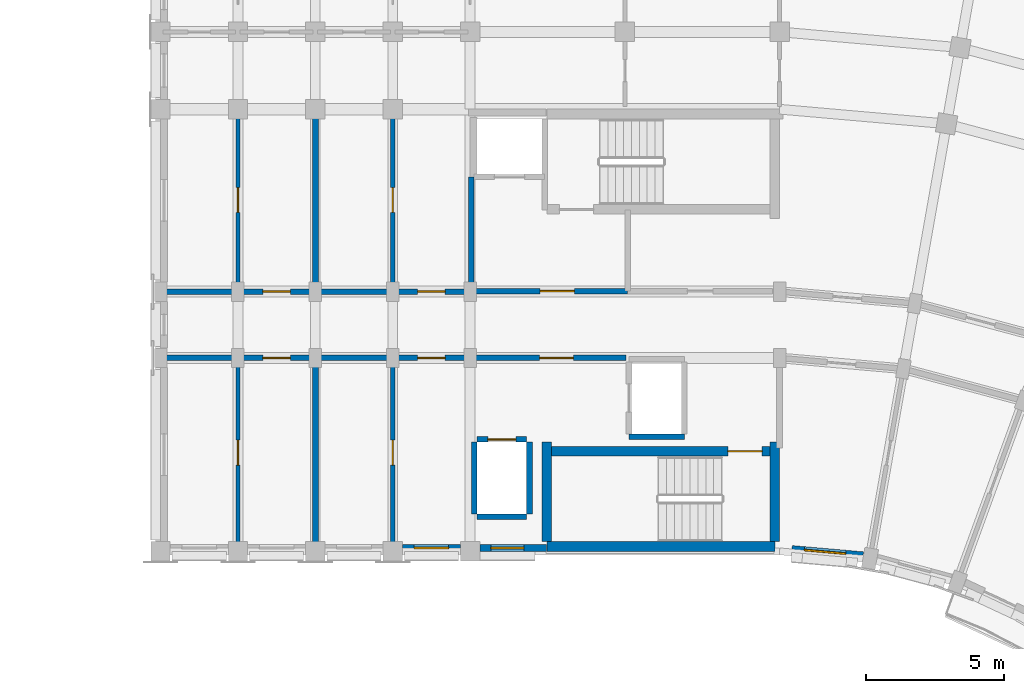
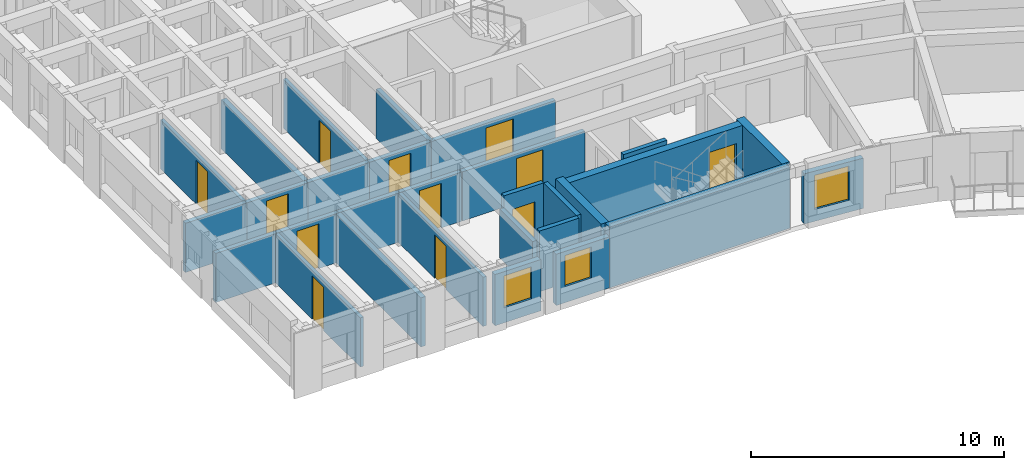
# One storey, part 31 of 57: 29 walls, 12 doors, 3 windows, 15 openings.
"""IFC4 building model written with IfcOpenShell, lengths in metres."""

from ifc_helpers import new_model, si_unit, direction, frame, frame_2d, origin, place, context, subcontext, project, spatial, rectangle, extrude, material, layer, layer_set, type_object, element, fill, save


model = new_model("IFC4")

# Units and contexts
model_context = context("Model", 3, precision=1e-05, world=origin(), true_north=direction((0.0, 1.0)))
body_context = subcontext(model_context, "Body", "Model", "MODEL_VIEW")
ifc_project = project(units=[si_unit("LENGTHUNIT", "METRE"), si_unit("AREAUNIT", "SQUARE_METRE"), si_unit("VOLUMEUNIT", "CUBIC_METRE"), si_unit("PLANEANGLEUNIT", "RADIAN"), si_unit("MASSUNIT", "GRAM", prefix="KILO")], contexts=[model_context])

# Site, building, storey
site_placement = place(None, origin())
site = spatial("IfcSite", under=ifc_project, at=site_placement, CompositionType="ELEMENT")
building_placement = place(site_placement, origin())
building = spatial("IfcBuilding", under=site, at=building_placement, Name="Kiranvali Square Residences", CompositionType="ELEMENT")
storey_placement = place(building_placement, frame((0.0, 0.0, 24.449951171875)))
storey = spatial("IfcBuildingStorey", under=building, at=storey_placement, Name="L07", CompositionType="ELEMENT", Elevation=24.449951171875)

# Wall, opening, door
ifc_material_1 = material(Name="Autoclaved aerated concrete blockwork masonry", Category="masonry")
ifc_layer_1 = layer(ifc_material_1, 0.199951171875)
ifc_layer_set_1 = layer_set([ifc_layer_1], Name="Autoclaved aerated concrete blockwork masonry")
wall_type_1 = type_object("IfcWallType", Name="WL-COR-200", PredefinedType="STANDARD", material=ifc_layer_set_1)
wall_1_placement = place(storey_placement, frame((114.25, 113.60009765625, 0.0), z_axis=(0.0, 0.0, 1.0), x_axis=(-1.0, 0.0, 0.0)))
wall_1 = element("IfcWall", 1, at=wall_1_placement, inside=storey, type_object=wall_type_1, Name="L07 architectural wall WL-L07-B-LL-COR", PredefinedType="STANDARD", context=body_context, shape_type="SweptSolid", body=[
    extrude(rectangle(XDim=5.60009765625, YDim=0.199951171875, at=frame_2d((2.800048828125, 0.0))), origin(), (0.0, 0.0, 1.0), 2.3720703125),
])
opening_1_placement = place(wall_1_placement, frame((1.909912109375, 0.0, 0.0)))
opening_1 = element("IfcOpeningElement", 2, at=opening_1_placement, cuts=wall_1, Name="Opening FD-COR-60", PredefinedType="OPENING", context=body_context, shape_type="SweptSolid", body=[
    extrude(rectangle(XDim=1.219970703125, YDim=2.14990234375, at=frame_2d((0.60986328125, 1.074951171875))), frame((0.0, 0.10986328125, 0.0), z_axis=(0.0, -1.0, 0.0), x_axis=(1.0, 0.0, 0.0)), (0.0, 0.0, 1.0), 0.219970703125),
])
ifc_material_2 = material(Name="Fire-rated acoustic hardwood and mineral-core door assembly", Category="wood")
door_type_1 = type_object("IfcDoorType", Name="DR-FD60-1200", OperationType="NOTDEFINED", PredefinedType="DOOR", material=ifc_material_2)
door_1_placement = place(opening_1_placement, frame((1.219970703125, 0.0, 0.0), z_axis=(0.0, 0.0, 1.0), x_axis=(-1.0, 0.0, 0.0)))
door_1 = element("IfcDoor", 3, at=door_1_placement, inside=storey, type_object=door_type_1, Name="L07 door DR-L07-1394 (DR-FD60-1200)", OperationType="SINGLE_SWING_RIGHT", OverallHeight=2.14990234375, OverallWidth=1.219970703125, PredefinedType="DOOR", context=body_context, shape_type="SweptSolid", body=[
    extrude(rectangle(XDim=1.219970703125, YDim=2.14990234375, at=frame_2d((0.60986328125, 1.074951171875))), frame((0.0, 0.02490234375, 0.0), z_axis=(0.0, -1.0, 0.0), x_axis=(1.0, 0.0, 0.0)), (0.0, 0.0, 1.0), 0.050048828125),
])
fill(opening_1, door_1)

wall_2_placement = place(storey_placement, frame((108.60009765625, 113.60009765625, 0.0), z_axis=(0.0, 0.0, 1.0), x_axis=(-1.0, 0.0, 0.0)))
wall_2 = element("IfcWall", 4, at=wall_2_placement, inside=storey, type_object=wall_type_1, Name="L07 architectural wall WL-L07-B-A1CI-0", PredefinedType="STANDARD", context=body_context, shape_type="SweptSolid", body=[
    extrude(rectangle(XDim=2.800048828125, YDim=0.199951171875, at=frame_2d((1.39990234375, 0.0))), origin(), (0.0, 0.0, 1.0), 2.3720703125),
])
opening_2_placement = place(wall_2_placement, frame((0.89990234375, 0.0, 0.0)))
opening_2 = element("IfcOpeningElement", 5, at=opening_2_placement, cuts=wall_2, Name="Opening FD-APT-60", PredefinedType="OPENING", context=body_context, shape_type="SweptSolid", body=[
    extrude(rectangle(XDim=1.0, YDim=2.14990234375, at=frame_2d((0.5, 1.074951171875))), frame((0.0, 0.10986328125, 0.0), z_axis=(0.0, -1.0, 0.0), x_axis=(1.0, 0.0, 0.0)), (0.0, 0.0, 1.0), 0.219970703125),
])
door_type_2 = type_object("IfcDoorType", Name="DR-APT-1000", OperationType="NOTDEFINED", PredefinedType="DOOR", material=ifc_material_2)
door_2_placement = place(opening_2_placement, frame((1.0, 0.0, 0.0), z_axis=(0.0, 0.0, 1.0), x_axis=(-1.0, 0.0, 0.0)))
door_2 = element("IfcDoor", 6, at=door_2_placement, inside=storey, type_object=door_type_2, Name="L07 door DR-L07-1398 (DR-APT-1000)", OperationType="SINGLE_SWING_RIGHT", OverallHeight=2.14990234375, OverallWidth=1.0, PredefinedType="DOOR", context=body_context, shape_type="SweptSolid", body=[
    extrude(rectangle(XDim=1.0, YDim=2.14990234375, at=frame_2d((0.5, 1.074951171875))), frame((0.0, 0.02490234375, 0.0), z_axis=(0.0, -1.0, 0.0), x_axis=(1.0, 0.0, 0.0)), (0.0, 0.0, 1.0), 0.050048828125),
])
fill(opening_2, door_2)

wall_3_placement = place(storey_placement, frame((108.60009765625, 116.0, 0.0), z_axis=(0.0, 0.0, 1.0), x_axis=(-1.0, 0.0, 0.0)))
wall_3 = element("IfcWall", 7, at=wall_3_placement, inside=storey, type_object=wall_type_1, Name="L07 architectural wall WL-L07-B-A1CO-0", PredefinedType="STANDARD", context=body_context, shape_type="SweptSolid", body=[
    extrude(rectangle(XDim=2.800048828125, YDim=0.199951171875, at=frame_2d((1.39990234375, 0.0))), origin(), (0.0, 0.0, 1.0), 2.3720703125),
])
opening_3_placement = place(wall_3_placement, frame((0.89990234375, 0.0, 0.0)))
opening_3 = element("IfcOpeningElement", 8, at=opening_3_placement, cuts=wall_3, Name="Opening FD-APT-60", PredefinedType="OPENING", context=body_context, shape_type="SweptSolid", body=[
    extrude(rectangle(XDim=1.0, YDim=2.14990234375, at=frame_2d((0.5, 1.074951171875))), frame((0.0, 0.10986328125, 0.0), z_axis=(0.0, -1.0, 0.0), x_axis=(1.0, 0.0, 0.0)), (0.0, 0.0, 1.0), 0.219970703125),
])
door_3_placement = place(opening_3_placement, frame((1.0, 0.0, 0.0), z_axis=(0.0, 0.0, 1.0), x_axis=(-1.0, 0.0, 0.0)))
door_3 = element("IfcDoor", 9, at=door_3_placement, inside=storey, type_object=door_type_2, Name="L07 door DR-L07-1400 (DR-APT-1000)", OperationType="SINGLE_SWING_RIGHT", OverallHeight=2.14990234375, OverallWidth=1.0, PredefinedType="DOOR", context=body_context, shape_type="SweptSolid", body=[
    extrude(rectangle(XDim=1.0, YDim=2.14990234375, at=frame_2d((0.5, 1.074951171875))), frame((0.0, 0.02490234375, 0.0), z_axis=(0.0, -1.0, 0.0), x_axis=(1.0, 0.0, 0.0)), (0.0, 0.0, 1.0), 0.050048828125),
])
fill(opening_3, door_3)

# Walls
for number, where, z_axis, x_axis, name in (
    (10, (105.800048828125, 113.60009765625, 0.0), (0.0, 0.0, 1.0), (-1.0, 0.0, 0.0), "L07 architectural wall WL-L07-B-A1CI-1"),
    (11, (105.800048828125, 116.0, 0.0), (0.0, 0.0, 1.0), (-1.0, 0.0, 0.0), "L07 architectural wall WL-L07-B-A1CO-1"),
):
    element("IfcWall", number, at=place(storey_placement, frame(where, z_axis=z_axis, x_axis=x_axis)), inside=storey, type_object=wall_type_1, Name=name, PredefinedType="STANDARD", context=body_context, shape_type="SweptSolid", body=[
        extrude(rectangle(XDim=2.800048828125, YDim=0.199951171875, at=frame_2d((1.39990234375, 0.0))), origin(), (0.0, 0.0, 1.0), 2.3720703125),
    ])

# Wall, opening, door
wall_4_placement = place(storey_placement, frame((103.0, 113.60009765625, 0.0), z_axis=(0.0, 0.0, 1.0), x_axis=(-1.0, 0.0, 0.0)))
wall_4 = element("IfcWall", 12, at=wall_4_placement, inside=storey, type_object=wall_type_1, Name="L07 architectural wall WL-L07-B-A1CI-2", PredefinedType="STANDARD", context=body_context, shape_type="SweptSolid", body=[
    extrude(rectangle(XDim=2.800048828125, YDim=0.199951171875, at=frame_2d((1.39990234375, 0.0))), origin(), (0.0, 0.0, 1.0), 2.3720703125),
])
opening_4_placement = place(wall_4_placement, frame((0.89990234375, 0.0, 0.0)))
opening_4 = element("IfcOpeningElement", 13, at=opening_4_placement, cuts=wall_4, Name="Opening FD-APT-60", PredefinedType="OPENING", context=body_context, shape_type="SweptSolid", body=[
    extrude(rectangle(XDim=1.0, YDim=2.14990234375, at=frame_2d((0.5, 1.074951171875))), frame((0.0, 0.10986328125, 0.0), z_axis=(0.0, -1.0, 0.0), x_axis=(1.0, 0.0, 0.0)), (0.0, 0.0, 1.0), 0.219970703125),
])
door_4_placement = place(opening_4_placement, frame((1.0, 0.0, 0.0), z_axis=(0.0, 0.0, 1.0), x_axis=(-1.0, 0.0, 0.0)))
door_4 = element("IfcDoor", 14, at=door_4_placement, inside=storey, type_object=door_type_2, Name="L07 door DR-L07-1402 (DR-APT-1000)", OperationType="SINGLE_SWING_RIGHT", OverallHeight=2.14990234375, OverallWidth=1.0, PredefinedType="DOOR", context=body_context, shape_type="SweptSolid", body=[
    extrude(rectangle(XDim=1.0, YDim=2.14990234375, at=frame_2d((0.5, 1.074951171875))), frame((0.0, 0.02490234375, 0.0), z_axis=(0.0, -1.0, 0.0), x_axis=(1.0, 0.0, 0.0)), (0.0, 0.0, 1.0), 0.050048828125),
])
fill(opening_4, door_4)

wall_5_placement = place(storey_placement, frame((103.0, 116.0, 0.0), z_axis=(0.0, 0.0, 1.0), x_axis=(-1.0, 0.0, 0.0)))
wall_5 = element("IfcWall", 15, at=wall_5_placement, inside=storey, type_object=wall_type_1, Name="L07 architectural wall WL-L07-B-A1CO-2", PredefinedType="STANDARD", context=body_context, shape_type="SweptSolid", body=[
    extrude(rectangle(XDim=2.800048828125, YDim=0.199951171875, at=frame_2d((1.39990234375, 0.0))), origin(), (0.0, 0.0, 1.0), 2.3720703125),
])
opening_5_placement = place(wall_5_placement, frame((0.89990234375, 0.0, 0.0)))
opening_5 = element("IfcOpeningElement", 16, at=opening_5_placement, cuts=wall_5, Name="Opening FD-APT-60", PredefinedType="OPENING", context=body_context, shape_type="SweptSolid", body=[
    extrude(rectangle(XDim=1.0, YDim=2.14990234375, at=frame_2d((0.5, 1.074951171875))), frame((0.0, 0.10986328125, 0.0), z_axis=(0.0, -1.0, 0.0), x_axis=(1.0, 0.0, 0.0)), (0.0, 0.0, 1.0), 0.219970703125),
])
door_5_placement = place(opening_5_placement, frame((1.0, 0.0, 0.0), z_axis=(0.0, 0.0, 1.0), x_axis=(-1.0, 0.0, 0.0)))
door_5 = element("IfcDoor", 17, at=door_5_placement, inside=storey, type_object=door_type_2, Name="L07 door DR-L07-1404 (DR-APT-1000)", OperationType="SINGLE_SWING_RIGHT", OverallHeight=2.14990234375, OverallWidth=1.0, PredefinedType="DOOR", context=body_context, shape_type="SweptSolid", body=[
    extrude(rectangle(XDim=1.0, YDim=2.14990234375, at=frame_2d((0.5, 1.074951171875))), frame((0.0, 0.02490234375, 0.0), z_axis=(0.0, -1.0, 0.0), x_axis=(1.0, 0.0, 0.0)), (0.0, 0.0, 1.0), 0.050048828125),
])
fill(opening_5, door_5)

# Walls
for number, where, z_axis, x_axis, name in (
    (18, (100.199951171875, 113.60009765625, 0.0), (0.0, 0.0, 1.0), (-1.0, 0.0, 0.0), "L07 architectural wall WL-L07-B-A1CI-3"),
    (19, (100.199951171875, 116.0, 0.0), (0.0, 0.0, 1.0), (-1.0, 0.0, 0.0), "L07 architectural wall WL-L07-B-A1CO-3"),
):
    element("IfcWall", number, at=place(storey_placement, frame(where, z_axis=z_axis, x_axis=x_axis)), inside=storey, type_object=wall_type_1, Name=name, PredefinedType="STANDARD", context=body_context, shape_type="SweptSolid", body=[
        extrude(rectangle(XDim=2.800048828125, YDim=0.199951171875, at=frame_2d((1.39990234375, 0.0))), origin(), (0.0, 0.0, 1.0), 2.3720703125),
    ])
ifc_layer_2 = layer(ifc_material_1, 0.219970703125)
ifc_layer_set_2 = layer_set([ifc_layer_2], Name="Autoclaved aerated concrete blockwork masonry")
wall_type_2 = type_object("IfcWallType", Name="WL-DEM-220", PredefinedType="STANDARD", material=ifc_layer_set_2)
wall_6_placement = place(storey_placement, frame((103.0, 106.800048828125, 0.0), z_axis=(0.0, 0.0, 1.0), x_axis=(0.0, 1.0, 0.0)))
element("IfcWall", 20, at=wall_6_placement, inside=storey, type_object=wall_type_2, Name="L07 architectural wall WL-L07-B-A1TI-2", PredefinedType="STANDARD", context=body_context, shape_type="SweptSolid", body=[
    extrude(rectangle(XDim=6.75, YDim=0.219970703125, at=frame_2d((3.375, 0.0))), origin(), (0.0, 0.0, 1.0), 2.3720703125),
])
wall_7_placement = place(storey_placement, frame((103.0, 116.050048828125, 0.0), z_axis=(0.0, 0.0, 1.0), x_axis=(0.0, 1.0, 0.0)))
element("IfcWall", 21, at=wall_7_placement, inside=storey, type_object=wall_type_2, Name="L07 architectural wall WL-L07-B-A1TO1-2", PredefinedType="STANDARD", context=body_context, shape_type="SweptSolid", body=[
    extrude(rectangle(XDim=6.530029296875, YDim=0.219970703125, at=frame_2d((3.26513671875, 0.0))), origin(), (0.0, 0.0, 1.0), 2.3720703125),
])

# Wall, opening, window
ifc_material_3 = material(Name="Breathable lime-rendered clay brick masonry", Category="masonry")
ifc_layer_3 = layer(ifc_material_3, 0.25)
ifc_layer_set_3 = layer_set([ifc_layer_3], Name="Breathable lime-rendered clay brick masonry")
wall_type_3 = type_object("IfcWallType", Name="WL-EXT-250", PredefinedType="STANDARD", material=ifc_layer_set_3)
wall_8_placement = place(storey_placement, frame((120.249267578125, 106.686279296875, 0.0), z_axis=(0.0, 0.0, 1.0), x_axis=(0.996188278786, -0.087229084652, 0.0)))
wall_8 = element("IfcWall", 22, at=wall_8_placement, inside=storey, type_object=wall_type_3, Name="L07 exterior wall B-L07-GDN-00", PredefinedType="STANDARD", context=body_context, shape_type="SweptSolid", body=[
    extrude(rectangle(XDim=2.583251953125, YDim=0.25, at=frame_2d((1.29150390625, 0.0))), origin(), (0.0, 0.0, 1.0), 2.422119140625),
])
opening_6_placement = place(wall_8_placement, frame((0.448486328125, 0.0, 0.572021484375)))
opening_6 = element("IfcOpeningElement", 23, at=opening_6_placement, cuts=wall_8, Name="Opening W-05", PredefinedType="OPENING", context=body_context, shape_type="SweptSolid", body=[
    extrude(rectangle(XDim=1.5, YDim=1.64990234375, at=frame_2d((0.75, 0.824951171875))), frame((0.0, 0.135009765625, 0.0), z_axis=(0.0, -1.0, 0.0), x_axis=(1.0, 0.0, 0.0)), (0.0, 0.0, 1.0), 0.27001953125),
])
ifc_material_4 = material(Name="Solar-control low-e double glazing", Category="glass")
window_type_1 = type_object("IfcWindowType", Name="WIN-RES-1500x1650", PartitioningType="DOUBLE_PANEL_VERTICAL", PredefinedType="WINDOW", material=ifc_material_4)
window_1_placement = place(opening_6_placement, origin())
window_1 = element("IfcWindow", 24, at=window_1_placement, inside=storey, type_object=window_type_1, Name="L07 recessed window B-L07-GDN-00", OverallHeight=1.64990234375, OverallWidth=1.5, PartitioningType="DOUBLE_PANEL_VERTICAL", PredefinedType="WINDOW", context=body_context, shape_type="SweptSolid", body=[
    extrude(rectangle(XDim=1.5, YDim=1.64990234375, at=frame_2d((0.75, 0.824951171875))), frame((0.0, 0.030029296875, 0.0), z_axis=(0.0, -1.0, 0.0), x_axis=(1.0, 0.0, 0.0)), (0.0, 0.0, 1.0), 0.06005859375),
])
fill(opening_6, window_1)

wall_9_placement = place(storey_placement, frame((111.37158203125, 106.72509765625, 0.0), z_axis=(0.0, 0.0, 1.0), x_axis=(-1.0, 0.0, 0.0)))
wall_9 = element("IfcWall", 25, at=wall_9_placement, inside=storey, type_object=wall_type_3, Name="L07 exterior wall B-L07-A1IN-0", PredefinedType="STANDARD", context=body_context, shape_type="SweptSolid", body=[
    extrude(rectangle(XDim=2.421630859375, YDim=0.25, at=frame_2d((1.2109375, 0.0))), origin(), (0.0, 0.0, 1.0), 2.47216796875),
])
opening_7_placement = place(wall_9_placement, frame((0.821533203125, 0.0, 0.77197265625)))
opening_7 = element("IfcOpeningElement", 26, at=opening_7_placement, cuts=wall_9, Name="Opening W-06", PredefinedType="OPENING", context=body_context, shape_type="SweptSolid", body=[
    extrude(rectangle(XDim=1.199951171875, YDim=1.5, at=frame_2d((0.60009765625, 0.75))), frame((0.0, 0.135009765625, 0.0), z_axis=(0.0, -1.0, 0.0), x_axis=(1.0, 0.0, 0.0)), (0.0, 0.0, 1.0), 0.27001953125),
])
window_type_2 = type_object("IfcWindowType", Name="WIN-RES-1200x1500", PartitioningType="SINGLE_PANEL", PredefinedType="WINDOW", material=ifc_material_4)
window_2_placement = place(opening_7_placement, origin())
window_2 = element("IfcWindow", 27, at=window_2_placement, inside=storey, type_object=window_type_2, Name="L07 recessed window B-L07-A1IN-0", OverallHeight=1.5, OverallWidth=1.199951171875, PartitioningType="SINGLE_PANEL", PredefinedType="WINDOW", context=body_context, shape_type="SweptSolid", body=[
    extrude(rectangle(XDim=1.199951171875, YDim=1.5, at=frame_2d((0.60009765625, 0.75))), frame((0.0, 0.030029296875, 0.0), z_axis=(0.0, -1.0, 0.0), x_axis=(1.0, 0.0, 0.0)), (0.0, 0.0, 1.0), 0.06005859375),
])
fill(opening_7, window_2)

wall_10_placement = place(storey_placement, frame((108.24658203125, 106.72509765625, 0.0), z_axis=(0.0, 0.0, 1.0), x_axis=(-1.0, 0.0, 0.0)))
wall_10 = element("IfcWall", 28, at=wall_10_placement, inside=storey, type_object=wall_type_3, Name="L07 exterior wall B-L07-A1I-0", PredefinedType="STANDARD", context=body_context, shape_type="SweptSolid", body=[
    extrude(rectangle(XDim=2.093017578125, YDim=0.25, at=frame_2d((1.04638671875, 0.0))), origin(), (0.0, 0.0, 1.0), 2.47216796875),
])
opening_8_placement = place(wall_10_placement, frame((0.42138671875, 0.0, 0.721923828125)))
opening_8 = element("IfcOpeningElement", 29, at=opening_8_placement, cuts=wall_10, Name="Opening W-19", PredefinedType="OPENING", context=body_context, shape_type="SweptSolid", body=[
    extrude(rectangle(XDim=1.25, YDim=1.550048828125, at=frame_2d((0.625, 0.77490234375))), frame((0.0, 0.135009765625, 0.0), z_axis=(0.0, -1.0, 0.0), x_axis=(1.0, 0.0, 0.0)), (0.0, 0.0, 1.0), 0.27001953125),
])
window_type_3 = type_object("IfcWindowType", Name="WIN-GDN-1250x1550", PartitioningType="SINGLE_PANEL", PredefinedType="WINDOW", material=ifc_material_4)
window_3_placement = place(opening_8_placement, origin())
window_3 = element("IfcWindow", 30, at=window_3_placement, inside=storey, type_object=window_type_3, Name="L07 recessed window B-L07-A1I-0", OverallHeight=1.550048828125, OverallWidth=1.25, PartitioningType="SINGLE_PANEL", PredefinedType="WINDOW", context=body_context, shape_type="SweptSolid", body=[
    extrude(rectangle(XDim=1.25, YDim=1.550048828125, at=frame_2d((0.625, 0.77490234375))), frame((0.0, 0.030029296875, 0.0), z_axis=(0.0, -1.0, 0.0), x_axis=(1.0, 0.0, 0.0)), (0.0, 0.0, 1.0), 0.06005859375),
])
fill(opening_8, window_3)

# Wall, opening, door
ifc_layer_4 = layer(ifc_material_1, 0.199951171875)
ifc_layer_set_4 = layer_set([ifc_layer_4], Name="Autoclaved aerated concrete blockwork masonry")
wall_type_4 = type_object("IfcWallType", Name="WL-FFL-200", PredefinedType="STANDARD", material=ifc_layer_set_4)
wall_11_placement = place(storey_placement, frame((114.300048828125, 116.02001953125, 0.0), z_axis=(0.0, 0.0, 1.0), x_axis=(-1.0, 0.0, 0.0)))
wall_11 = element("IfcWall", 31, at=wall_11_placement, inside=storey, type_object=wall_type_4, Name="L07 architectural wall WL-L07-B-FF-COR", PredefinedType="STANDARD", context=body_context, shape_type="SweptSolid", body=[
    extrude(rectangle(XDim=5.650146484375, YDim=0.199951171875, at=frame_2d((2.8251953125, 0.0))), origin(), (0.0, 0.0, 1.0), 2.3720703125),
])
opening_9_placement = place(wall_11_placement, frame((1.922607421875, 0.0, 0.0)))
opening_9 = element("IfcOpeningElement", 32, at=opening_9_placement, cuts=wall_11, Name="Opening FD-ST-120", PredefinedType="OPENING", context=body_context, shape_type="SweptSolid", body=[
    extrude(rectangle(XDim=1.239990234375, YDim=2.14990234375, at=frame_2d((0.6201171875, 1.074951171875))), frame((0.0, 0.10986328125, 0.0), z_axis=(0.0, -1.0, 0.0), x_axis=(1.0, 0.0, 0.0)), (0.0, 0.0, 1.0), 0.219970703125),
])
door_type_3 = type_object("IfcDoorType", Name="DR-FD120-1200", OperationType="NOTDEFINED", PredefinedType="DOOR", material=ifc_material_2)
door_6_placement = place(opening_9_placement, frame((1.239990234375, 0.0, 0.0), z_axis=(0.0, 0.0, 1.0), x_axis=(-1.0, 0.0, 0.0)))
door_6 = element("IfcDoor", 33, at=door_6_placement, inside=storey, type_object=door_type_3, Name="L07 door DR-L07-1386 (DR-FD120-1200)", OperationType="SINGLE_SWING_RIGHT", OverallHeight=2.14990234375, OverallWidth=1.239990234375, PredefinedType="DOOR", context=body_context, shape_type="SweptSolid", body=[
    extrude(rectangle(XDim=1.239990234375, YDim=2.14990234375, at=frame_2d((0.6201171875, 1.074951171875))), frame((0.0, 0.02490234375, 0.0), z_axis=(0.0, -1.0, 0.0), x_axis=(1.0, 0.0, 0.0)), (0.0, 0.0, 1.0), 0.050048828125),
])
fill(opening_9, door_6)

# Wall
wall_12_placement = place(storey_placement, frame((108.64990234375, 116.02001953125, 0.0), z_axis=(0.0, 0.0, 1.0), x_axis=(0.0, 1.0, 0.0)))
element("IfcWall", 34, at=wall_12_placement, inside=storey, type_object=wall_type_4, Name="L07 architectural wall WL-L07-B-FF-END", PredefinedType="STANDARD", context=body_context, shape_type="SweptSolid", body=[
    extrude(rectangle(XDim=4.1298828125, YDim=0.199951171875, at=frame_2d((2.06494140625, 0.0))), origin(), (0.0, 0.0, 1.0), 2.3720703125),
])

# Wall, opening, door
ifc_material_5 = material(Name="Acoustic gypsum board drylined partition", Category="gypsum")
ifc_layer_5 = layer(ifc_material_5, 0.14990234375)
ifc_layer_set_5 = layer_set([ifc_layer_5], Name="Acoustic gypsum board drylined partition")
wall_type_5 = type_object("IfcWallType", Name="WL-PRT-150", PredefinedType="PARTITIONING", material=ifc_layer_set_5)
wall_13_placement = place(storey_placement, frame((105.800048828125, 106.800048828125, 0.0), z_axis=(0.0, 0.0, 1.0), x_axis=(0.0, 1.0, 0.0)))
wall_13 = element("IfcWall", 35, at=wall_13_placement, inside=storey, type_object=wall_type_5, Name="L07 architectural wall WL-L07-B-A1TI-1", PredefinedType="PARTITIONING", context=body_context, shape_type="SweptSolid", body=[
    extrude(rectangle(XDim=6.75, YDim=0.14990234375, at=frame_2d((3.375, 0.0))), origin(), (0.0, 0.0, 1.0), 2.3720703125),
])
opening_10_placement = place(wall_13_placement, frame((2.925048828125, 0.0, 0.0)))
opening_10 = element("IfcOpeningElement", 36, at=opening_10_placement, cuts=wall_13, Name="Opening ID-1", PredefinedType="OPENING", context=body_context, shape_type="SweptSolid", body=[
    extrude(rectangle(XDim=0.89990234375, YDim=2.10009765625, at=frame_2d((0.449951171875, 1.050048828125))), frame((0.0, 0.0849609375, 0.0), z_axis=(0.0, -1.0, 0.0), x_axis=(1.0, 0.0, 0.0)), (0.0, 0.0, 1.0), 0.169921875),
])
ifc_material_6 = material(Name="Solid seasoned teak hardwood joinery", Category="wood")
door_type_4 = type_object("IfcDoorType", Name="DR-INT-900", OperationType="NOTDEFINED", PredefinedType="DOOR", material=ifc_material_6)
door_7_placement = place(opening_10_placement, origin())
door_7 = element("IfcDoor", 37, at=door_7_placement, inside=storey, type_object=door_type_4, Name="L07 door DR-L07-1407 (DR-INT-900)", OperationType="SINGLE_SWING_LEFT", OverallHeight=2.10009765625, OverallWidth=0.89990234375, PredefinedType="DOOR", context=body_context, shape_type="SweptSolid", body=[
    extrude(rectangle(XDim=0.89990234375, YDim=2.10009765625, at=frame_2d((0.449951171875, 1.050048828125))), frame((0.0, 0.02490234375, 0.0), z_axis=(0.0, -1.0, 0.0), x_axis=(1.0, 0.0, 0.0)), (0.0, 0.0, 1.0), 0.050048828125),
])
fill(opening_10, door_7)

wall_14_placement = place(storey_placement, frame((105.800048828125, 116.050048828125, 0.0), z_axis=(0.0, 0.0, 1.0), x_axis=(0.0, 1.0, 0.0)))
wall_14 = element("IfcWall", 38, at=wall_14_placement, inside=storey, type_object=wall_type_5, Name="L07 architectural wall WL-L07-B-A1TO1-1", PredefinedType="PARTITIONING", context=body_context, shape_type="SweptSolid", body=[
    extrude(rectangle(XDim=6.530029296875, YDim=0.14990234375, at=frame_2d((3.26513671875, 0.0))), origin(), (0.0, 0.0, 1.0), 2.3720703125),
])
opening_11_placement = place(wall_14_placement, frame((2.81494140625, 0.0, 0.0)))
opening_11 = element("IfcOpeningElement", 39, at=opening_11_placement, cuts=wall_14, Name="Opening ID-1", PredefinedType="OPENING", context=body_context, shape_type="SweptSolid", body=[
    extrude(rectangle(XDim=0.89990234375, YDim=2.10009765625, at=frame_2d((0.449951171875, 1.050048828125))), frame((0.0, 0.0849609375, 0.0), z_axis=(0.0, -1.0, 0.0), x_axis=(1.0, 0.0, 0.0)), (0.0, 0.0, 1.0), 0.169921875),
])
door_8_placement = place(opening_11_placement, frame((0.89990234375, 0.0, 0.0), z_axis=(0.0, 0.0, 1.0), x_axis=(-1.0, 0.0, 0.0)))
door_8 = element("IfcDoor", 40, at=door_8_placement, inside=storey, type_object=door_type_4, Name="L07 door DR-L07-1408 (DR-INT-900)", OperationType="SINGLE_SWING_RIGHT", OverallHeight=2.10009765625, OverallWidth=0.89990234375, PredefinedType="DOOR", context=body_context, shape_type="SweptSolid", body=[
    extrude(rectangle(XDim=0.89990234375, YDim=2.10009765625, at=frame_2d((0.449951171875, 1.050048828125))), frame((0.0, 0.02490234375, 0.0), z_axis=(0.0, -1.0, 0.0), x_axis=(1.0, 0.0, 0.0)), (0.0, 0.0, 1.0), 0.050048828125),
])
fill(opening_11, door_8)

wall_15_placement = place(storey_placement, frame((100.199951171875, 106.800048828125, 0.0), z_axis=(0.0, 0.0, 1.0), x_axis=(0.0, 1.0, 0.0)))
wall_15 = element("IfcWall", 41, at=wall_15_placement, inside=storey, type_object=wall_type_5, Name="L07 architectural wall WL-L07-B-A1TI-3", PredefinedType="PARTITIONING", context=body_context, shape_type="SweptSolid", body=[
    extrude(rectangle(XDim=6.75, YDim=0.14990234375, at=frame_2d((3.375, 0.0))), origin(), (0.0, 0.0, 1.0), 2.3720703125),
])
opening_12_placement = place(wall_15_placement, frame((2.925048828125, 0.0, 0.0)))
opening_12 = element("IfcOpeningElement", 42, at=opening_12_placement, cuts=wall_15, Name="Opening ID-1", PredefinedType="OPENING", context=body_context, shape_type="SweptSolid", body=[
    extrude(rectangle(XDim=0.89990234375, YDim=2.10009765625, at=frame_2d((0.449951171875, 1.050048828125))), frame((0.0, 0.0849609375, 0.0), z_axis=(0.0, -1.0, 0.0), x_axis=(1.0, 0.0, 0.0)), (0.0, 0.0, 1.0), 0.169921875),
])
door_9_placement = place(opening_12_placement, frame((0.89990234375, 0.0, 0.0), z_axis=(0.0, 0.0, 1.0), x_axis=(-1.0, 0.0, 0.0)))
door_9 = element("IfcDoor", 43, at=door_9_placement, inside=storey, type_object=door_type_4, Name="L07 door DR-L07-1410 (DR-INT-900)", OperationType="SINGLE_SWING_RIGHT", OverallHeight=2.10009765625, OverallWidth=0.89990234375, PredefinedType="DOOR", context=body_context, shape_type="SweptSolid", body=[
    extrude(rectangle(XDim=0.89990234375, YDim=2.10009765625, at=frame_2d((0.449951171875, 1.050048828125))), frame((0.0, 0.02490234375, 0.0), z_axis=(0.0, -1.0, 0.0), x_axis=(1.0, 0.0, 0.0)), (0.0, 0.0, 1.0), 0.050048828125),
])
fill(opening_12, door_9)

wall_16_placement = place(storey_placement, frame((100.199951171875, 116.050048828125, 0.0), z_axis=(0.0, 0.0, 1.0), x_axis=(0.0, 1.0, 0.0)))
wall_16 = element("IfcWall", 44, at=wall_16_placement, inside=storey, type_object=wall_type_5, Name="L07 architectural wall WL-L07-B-A1TO1-3", PredefinedType="PARTITIONING", context=body_context, shape_type="SweptSolid", body=[
    extrude(rectangle(XDim=6.530029296875, YDim=0.14990234375, at=frame_2d((3.26513671875, 0.0))), origin(), (0.0, 0.0, 1.0), 2.3720703125),
])
opening_13_placement = place(wall_16_placement, frame((2.81494140625, 0.0, 0.0)))
opening_13 = element("IfcOpeningElement", 45, at=opening_13_placement, cuts=wall_16, Name="Opening ID-1", PredefinedType="OPENING", context=body_context, shape_type="SweptSolid", body=[
    extrude(rectangle(XDim=0.89990234375, YDim=2.10009765625, at=frame_2d((0.449951171875, 1.050048828125))), frame((0.0, 0.0849609375, 0.0), z_axis=(0.0, -1.0, 0.0), x_axis=(1.0, 0.0, 0.0)), (0.0, 0.0, 1.0), 0.169921875),
])
door_10_placement = place(opening_13_placement, origin())
door_10 = element("IfcDoor", 46, at=door_10_placement, inside=storey, type_object=door_type_4, Name="L07 door DR-L07-1411 (DR-INT-900)", OperationType="SINGLE_SWING_LEFT", OverallHeight=2.10009765625, OverallWidth=0.89990234375, PredefinedType="DOOR", context=body_context, shape_type="SweptSolid", body=[
    extrude(rectangle(XDim=0.89990234375, YDim=2.10009765625, at=frame_2d((0.449951171875, 1.050048828125))), frame((0.0, 0.02490234375, 0.0), z_axis=(0.0, -1.0, 0.0), x_axis=(1.0, 0.0, 0.0)), (0.0, 0.0, 1.0), 0.050048828125),
])
fill(opening_13, door_10)

# Walls
ifc_layer_6 = layer(ifc_material_1, 0.199951171875)
ifc_layer_set_6 = layer_set([ifc_layer_6], Name="Autoclaved aerated concrete blockwork masonry")
wall_type_6 = type_object("IfcWallType", Name="WL-SHF-200", PredefinedType="STANDARD", material=ifc_layer_set_6)
wall_17_placement = place(storey_placement, frame((110.75, 107.949951171875, 0.0), z_axis=(0.0, 0.0, 1.0), x_axis=(0.0, 1.0, 0.0)))
element("IfcWall", 47, at=wall_17_placement, inside=storey, type_object=wall_type_6, Name="L07 architectural wall WL-L07-B-LP1-S1", PredefinedType="STANDARD", context=body_context, shape_type="SweptSolid", body=[
    extrude(rectangle(XDim=2.60009765625, YDim=0.199951171875, at=frame_2d((1.300048828125, 0.0))), origin(), (0.0, 0.0, 1.0), 2.929931640625),
])
wall_18_placement = place(storey_placement, frame((108.75, 107.949951171875, 0.0), z_axis=(0.0, 0.0, 1.0), x_axis=(0.0, 1.0, 0.0)))
element("IfcWall", 48, at=wall_18_placement, inside=storey, type_object=wall_type_6, Name="L07 architectural wall WL-L07-B-LP1-B", PredefinedType="STANDARD", context=body_context, shape_type="SweptSolid", body=[
    extrude(rectangle(XDim=2.60009765625, YDim=0.199951171875, at=frame_2d((1.300048828125, 0.0))), origin(), (0.0, 0.0, 1.0), 2.3720703125),
])
wall_19_placement = place(storey_placement, frame((110.64990234375, 107.85009765625, 0.0), z_axis=(0.0, 0.0, 1.0), x_axis=(-1.0, 0.0, 0.0)))
element("IfcWall", 49, at=wall_19_placement, inside=storey, type_object=wall_type_6, Name="L07 architectural wall WL-L07-B-LP1-S2", PredefinedType="STANDARD", context=body_context, shape_type="SweptSolid", body=[
    extrude(rectangle(XDim=1.7998046875, YDim=0.199951171875, at=frame_2d((0.89990234375, 0.0))), origin(), (0.0, 0.0, 1.0), 2.929931640625),
])

# Wall, opening, door
wall_20_placement = place(storey_placement, frame((110.64990234375, 110.64990234375, 0.0), z_axis=(0.0, 0.0, 1.0), x_axis=(-1.0, 0.0, 0.0)))
wall_20 = element("IfcWall", 50, at=wall_20_placement, inside=storey, type_object=wall_type_6, Name="L07 architectural wall WL-L07-B-LP1-F", PredefinedType="STANDARD", context=body_context, shape_type="SweptSolid", body=[
    extrude(rectangle(XDim=1.7998046875, YDim=0.199951171875, at=frame_2d((0.89990234375, 0.0))), origin(), (0.0, 0.0, 1.0), 2.929931640625),
])
opening_14_placement = place(wall_20_placement, frame((0.389892578125, 0.0, 0.0)))
opening_14 = element("IfcOpeningElement", 51, at=opening_14_placement, cuts=wall_20, Name="Opening LD-PAX-100", PredefinedType="OPENING", context=body_context, shape_type="SweptSolid", body=[
    extrude(rectangle(XDim=1.02001953125, YDim=2.14990234375, at=frame_2d((0.510009765625, 1.074951171875))), frame((0.0, 0.10986328125, 0.0), z_axis=(0.0, -1.0, 0.0), x_axis=(1.0, 0.0, 0.0)), (0.0, 0.0, 1.0), 0.219970703125),
])
door_type_5 = type_object("IfcDoorType", Name="DR-LIFT-1000", OperationType="SLIDING_TO_RIGHT", PredefinedType="DOOR", material=ifc_material_2)
door_11_placement = place(opening_14_placement, origin())
door_11 = element("IfcDoor", 52, at=door_11_placement, inside=storey, type_object=door_type_5, Name="L07 door DR-L07-1392 (DR-LIFT-1000)", OperationType="SLIDING_TO_RIGHT", OverallHeight=2.14990234375, OverallWidth=1.02001953125, PredefinedType="DOOR", context=body_context, shape_type="SweptSolid", body=[
    extrude(rectangle(XDim=1.02001953125, YDim=2.14990234375, at=frame_2d((0.510009765625, 1.074951171875))), frame((0.0, 0.02490234375, 0.0), z_axis=(0.0, -1.0, 0.0), x_axis=(1.0, 0.0, 0.0)), (0.0, 0.0, 1.0), 0.050048828125),
])
fill(opening_14, door_11)

# Walls
wall_21_placement = place(storey_placement, frame((116.35009765625, 110.75, 0.0), z_axis=(0.0, 0.0, 1.0), x_axis=(-1.0, 0.0, 0.0)))
element("IfcWall", 53, at=wall_21_placement, inside=storey, type_object=wall_type_6, Name="L07 architectural wall WL-L07-B-LP2-S0", PredefinedType="STANDARD", context=body_context, shape_type="SweptSolid", body=[
    extrude(rectangle(XDim=2.0, YDim=0.199951171875, at=frame_2d((1.0, 0.0))), origin(), (0.0, 0.0, 1.0), 2.929931640625),
])
ifc_material_7 = material(Name="Concrete M45 (45 MPa)", Category="concrete")
ifc_layer_7 = layer(ifc_material_7, 0.320068359375)
ifc_layer_set_7 = layer_set([ifc_layer_7], Name="Concrete M45 (45 MPa)")
wall_type_7 = type_object("IfcWallType", Name="WL-SHR-320", PredefinedType="SHEAR", material=ifc_layer_set_7)
wall_22_placement = place(storey_placement, frame((119.625, 106.77490234375, 0.0), z_axis=(0.0, 0.0, 1.0), x_axis=(-1.0, 0.0, 0.0)))
element("IfcWall", 54, at=wall_22_placement, inside=storey, type_object=wall_type_7, Name="Block B core shear wall SW-B2-OUT-L07", PredefinedType="SHEAR", context=body_context, shape_type="SweptSolid", body=[
    extrude(rectangle(XDim=8.25, YDim=0.35009765625, at=frame_2d((4.125, 0.0))), origin(), (0.0, 0.0, 1.0), 2.929931640625),
])

# Wall, opening, door
wall_23_placement = place(storey_placement, frame((119.449951171875, 110.22509765625, 0.0), z_axis=(0.0, 0.0, 1.0), x_axis=(-1.0, 0.0, 0.0)))
wall_23 = element("IfcWall", 55, at=wall_23_placement, inside=storey, type_object=wall_type_7, Name="Block B core shear wall SW-B2-IN-L07", PredefinedType="SHEAR", context=body_context, shape_type="SweptSolid", body=[
    extrude(rectangle(XDim=7.89990234375, YDim=0.35009765625, at=frame_2d((3.949951171875, 0.0))), origin(), (0.0, 0.0, 1.0), 2.929931640625),
])
opening_15_placement = place(wall_23_placement, frame((0.280029296875, 0.0, 0.0)))
opening_15 = element("IfcOpeningElement", 56, at=opening_15_placement, cuts=wall_23, Name="Opening FD-ST-120", PredefinedType="OPENING", context=body_context, shape_type="SweptSolid", body=[
    extrude(rectangle(XDim=1.239990234375, YDim=2.14990234375, at=frame_2d((0.6201171875, 1.074951171875))), frame((0.0, 0.18505859375, 0.0), z_axis=(0.0, -1.0, 0.0), x_axis=(1.0, 0.0, 0.0)), (0.0, 0.0, 1.0), 0.3701171875),
])
door_12_placement = place(opening_15_placement, origin())
door_12 = element("IfcDoor", 57, at=door_12_placement, inside=storey, type_object=door_type_3, Name="L07 door DR-L07-1390 (DR-FD120-1200)", OperationType="SINGLE_SWING_RIGHT", OverallHeight=2.14990234375, OverallWidth=1.239990234375, PredefinedType="DOOR", context=body_context, shape_type="SweptSolid", body=[
    extrude(rectangle(XDim=1.239990234375, YDim=2.14990234375, at=frame_2d((0.6201171875, 1.074951171875))), frame((0.0, 0.02490234375, 0.0), z_axis=(0.0, -1.0, 0.0), x_axis=(1.0, 0.0, 0.0)), (0.0, 0.0, 1.0), 0.050048828125),
])
fill(opening_15, door_12)

# Walls
for number, where, z_axis, x_axis, name in (
    (58, (119.625, 106.949951171875, 0.0), (0.0, 0.0, 1.0), (0.0, 1.0, 0.0), "Block B core shear wall SW-B2-NEAR-L07"),
    (59, (111.375, 106.949951171875, 0.0), (0.0, 0.0, 1.0), (0.0, 1.0, 0.0), "Block B core shear wall SW-B2-FAR-L07"),
):
    element("IfcWall", number, at=place(storey_placement, frame(where, z_axis=z_axis, x_axis=x_axis)), inside=storey, type_object=wall_type_7, Name=name, PredefinedType="SHEAR", context=body_context, shape_type="SweptSolid", body=[
        extrude(rectangle(XDim=3.60009765625, YDim=0.35009765625, at=frame_2d((1.800048828125, 0.0))), origin(), (0.0, 0.0, 1.0), 2.929931640625),
    ])

save(model, "model.ifc")
